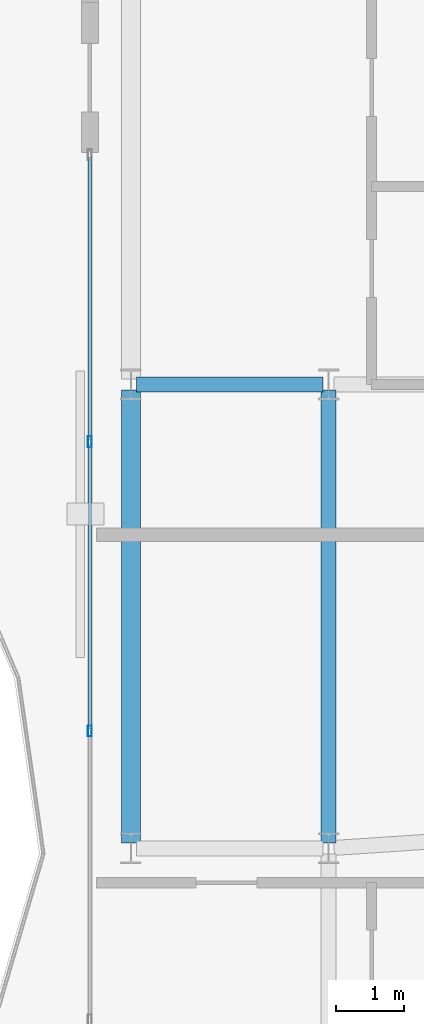
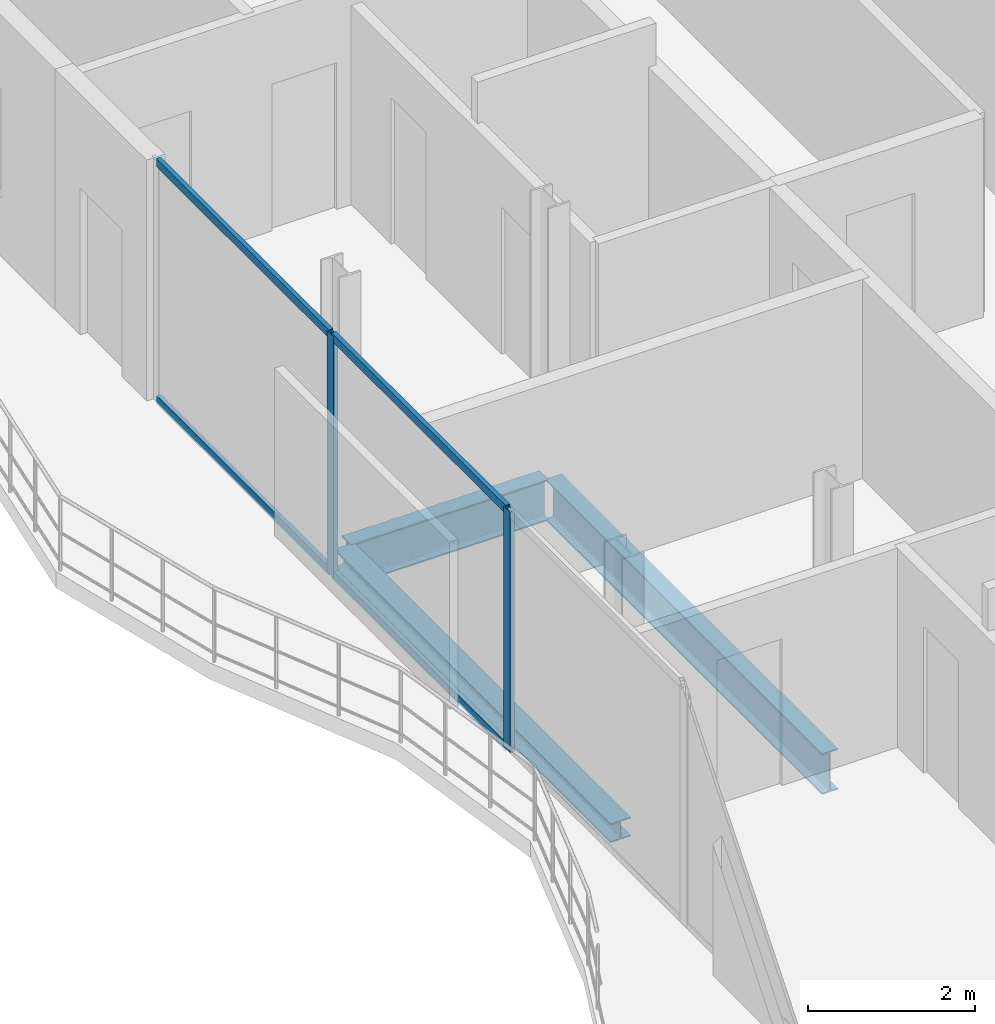
# One storey, part 10 of 22: 6 members, 3 beams, 1 element without a shape of its own.
"""IFC4 building model written with IfcOpenShell, lengths in metres."""

from ifc_helpers import new_model, si_unit, direction, frame, origin, origin_2d, place, context, subcontext, project, spatial, hollow_rectangle, i_section, extrude, material, layer, layer_set, material_profile, profile_set, type_object, element, aggregate, save


model = new_model("IFC4")

# Units and contexts
model_context = context("Model", 3, precision=1e-05, world=origin(), true_north=direction((0.0, 1.0)))
body_context = subcontext(model_context, "Body", "Model", "MODEL_VIEW")
ifc_project = project(units=[si_unit("LENGTHUNIT", "METRE"), si_unit("AREAUNIT", "SQUARE_METRE"), si_unit("VOLUMEUNIT", "CUBIC_METRE"), si_unit("PLANEANGLEUNIT", "RADIAN"), si_unit("MASSUNIT", "GRAM", prefix="KILO")], contexts=[model_context])

# Site, building, storey
site_placement = place(None, origin())
site = spatial("IfcSite", under=ifc_project, at=site_placement, CompositionType="ELEMENT")
building_placement = place(site_placement, origin())
building = spatial("IfcBuilding", under=site, at=building_placement, Name="Catumbela Crestline Tower", CompositionType="ELEMENT")
storey_placement = place(building_placement, frame((0.0, 0.0, 222.2)))
storey = spatial("IfcBuildingStorey", under=building, at=storey_placement, Name="L57", CompositionType="ELEMENT", Elevation=222.2)

# Beams
ifc_material_1 = material(Name="Structural steel S355J2", Category="steel")
ifc_material_profile_1 = material_profile(ifc_material_1, i_section(OverallWidth=0.22, OverallDepth=0.6, WebThickness=0.012, FlangeThickness=0.019, FilletRadius=0.024, at=origin_2d()), Name="IPE 600")
ifc_profile_set_1 = profile_set([ifc_material_profile_1], Name="Structural steel S355J2")
beam_type_1 = type_object("IfcBeamType", Name="BG-IPE600", PredefinedType="BEAM", material=ifc_profile_set_1)
beam_1_placement = place(storey_placement, frame((5.68, 30.8, -0.56), z_axis=(1.0, 0.0, 0.0), x_axis=(0.0, 1.0, 0.0)))
element("IfcBeam", 1, at=beam_1_placement, inside=storey, type_object=beam_type_1, Name="L57 Beam BM-L57-M06", PredefinedType="BEAM", context=body_context, shape_type="SweptSolid", body=[
    extrude(i_section(OverallWidth=0.22, OverallDepth=0.6, WebThickness=0.012, FlangeThickness=0.019, FilletRadius=0.024, at=origin_2d()), origin(), (0.0, 0.0, 1.0), 2.74),
])
beam_2_placement = place(storey_placement, frame((8.5, 24.08, -0.56), z_axis=(0.0, 1.0, 0.0), x_axis=(-1.0, 0.0, 0.0)))
element("IfcBeam", 2, at=beam_2_placement, inside=storey, type_object=beam_type_1, Name="L57 Beam BM-L57-SN14", PredefinedType="BEAM", context=body_context, shape_type="SweptSolid", body=[
    extrude(i_section(OverallWidth=0.22, OverallDepth=0.6, WebThickness=0.012, FlangeThickness=0.019, FilletRadius=0.024, at=origin_2d()), origin(), (0.0, 0.0, 1.0), 6.64),
])

# Curtain wall, members
ifc_material_2 = material(Name="Aluminium alloy AW-6060-T66", Category="aluminium")
ifc_layer = layer(ifc_material_2, 0.18, Name="Aluminium alloy AW-6060-T66")
ifc_layer_set = layer_set([ifc_layer], Name="Aluminium alloy AW-6060-T66")
curtain_wall_type = type_object("IfcCurtainWallType", Name="CWU-Z4", PredefinedType="USERDEFINED", material=ifc_layer_set)
curtain_wall_placement = place(storey_placement, origin())
curtain_wall = element("IfcCurtainWall", 3, at=curtain_wall_placement, inside=storey, type_object=curtain_wall_type, Name="L57 Unitised Curtain Wall CW-L57-E9S2", ObjectType="UNITISED", PredefinedType="USERDEFINED")
ifc_material_profile_2 = material_profile(ifc_material_2, hollow_rectangle(XDim=0.06, YDim=0.16, WallThickness=0.004, at=origin_2d()), Name="ALU 160x60x4")
ifc_profile_set_2 = profile_set([ifc_material_profile_2], Name="Aluminium alloy AW-6060-T66")
member_type_1 = type_object("IfcMemberType", Name="MUL-160X60", PredefinedType="MULLION", material=ifc_profile_set_2)
member_1_placement = place(storey_placement, frame((5.0, 29.96, 0.0), z_axis=(0.0, 0.0, 1.0), x_axis=(1.0, 0.0, 0.0)))
member_1 = element("IfcMember", 4, at=member_1_placement, type_object=member_type_1, Name="CWU-Z4 mullion 2", PredefinedType="MULLION", context=body_context, shape_type="SweptSolid", body=[
    extrude(hollow_rectangle(XDim=0.06, YDim=0.16, WallThickness=0.004, at=origin_2d()), origin(), (0.0, 0.0, 1.0), 3.53),
])
member_2_placement = place(storey_placement, frame((5.0, 25.72, 0.0), z_axis=(0.0, 0.0, 1.0), x_axis=(1.0, 0.0, 0.0)))
member_2 = element("IfcMember", 5, at=member_2_placement, type_object=member_type_1, Name="CWU-Z4 mullion 3", PredefinedType="MULLION", context=body_context, shape_type="SweptSolid", body=[
    extrude(hollow_rectangle(XDim=0.06, YDim=0.16, WallThickness=0.004, at=origin_2d()), origin(), (0.0, 0.0, 1.0), 3.53),
])

# Beam
ifc_material_profile_3 = material_profile(ifc_material_1, i_section(OverallWidth=0.28, OverallDepth=0.28, WebThickness=0.0105, FlangeThickness=0.018, FilletRadius=0.024, at=origin_2d()), Name="HEB 280")
ifc_profile_set_3 = profile_set([ifc_material_profile_3], Name="Structural steel S355J2")
beam_type_2 = type_object("IfcBeamType", Name="BS-HEB280", PredefinedType="SPANDREL", material=ifc_profile_set_3)
beam_3_placement = place(storey_placement, frame((5.6, 24.08, -0.4), z_axis=(0.0, 1.0, 0.0), x_axis=(-1.0, 0.0, 0.0)))
element("IfcBeam", 6, at=beam_3_placement, inside=storey, type_object=beam_type_2, Name="L57 Spandrel SP-L57-SN12", PredefinedType="SPANDREL", context=body_context, shape_type="SweptSolid", body=[
    extrude(i_section(OverallWidth=0.28, OverallDepth=0.28, WebThickness=0.0105, FlangeThickness=0.018, FilletRadius=0.024, at=origin_2d()), origin(), (0.0, 0.0, 1.0), 6.64),
])

# Member
ifc_material_profile_4 = material_profile(ifc_material_2, hollow_rectangle(XDim=0.06, YDim=0.12, WallThickness=0.0035, at=origin_2d()), Name="ALU 120x60x3.5")
ifc_profile_set_4 = profile_set([ifc_material_profile_4], Name="Aluminium alloy AW-6060-T66")
member_type_2 = type_object("IfcMemberType", Name="TRN-120X60", PredefinedType="USERDEFINED", material=ifc_profile_set_4)
member_3_placement = place(storey_placement, frame((5.0, 34.135, 0.03), z_axis=(0.0, -1.0, 0.0), x_axis=(1.0, 0.0, 0.0)))
member_3 = element("IfcMember", 7, at=member_3_placement, type_object=member_type_2, Name="CWU-Z4 transom 1.1", ObjectType="TRANSOM", PredefinedType="USERDEFINED", context=body_context, shape_type="SweptSolid", body=[
    extrude(hollow_rectangle(XDim=0.06, YDim=0.12, WallThickness=0.0035, at=origin_2d()), origin(), (0.0, 0.0, 1.0), 4.1425),
])

member_4_placement = place(storey_placement, frame((5.0, 34.135, 3.5), z_axis=(0.0, -1.0, 0.0), x_axis=(1.0, 0.0, 0.0)))
member_4 = element("IfcMember", 8, at=member_4_placement, type_object=member_type_2, Name="CWU-Z4 transom 1.2", ObjectType="TRANSOM", PredefinedType="USERDEFINED", context=body_context, shape_type="SweptSolid", body=[
    extrude(hollow_rectangle(XDim=0.06, YDim=0.12, WallThickness=0.0035, at=origin_2d()), origin(), (0.0, 0.0, 1.0), 4.1425),
])

member_5_placement = place(storey_placement, frame((5.0, 29.9275, 0.03), z_axis=(0.0, -1.0, 0.0), x_axis=(1.0, 0.0, 0.0)))
member_5 = element("IfcMember", 9, at=member_5_placement, type_object=member_type_2, Name="CWU-Z4 transom 2.1", ObjectType="TRANSOM", PredefinedType="USERDEFINED", context=body_context, shape_type="SweptSolid", body=[
    extrude(hollow_rectangle(XDim=0.06, YDim=0.12, WallThickness=0.0035, at=origin_2d()), origin(), (0.0, 0.0, 1.0), 4.175),
])

member_6_placement = place(storey_placement, frame((5.0, 29.9275, 3.5), z_axis=(0.0, -1.0, 0.0), x_axis=(1.0, 0.0, 0.0)))
member_6 = element("IfcMember", 10, at=member_6_placement, type_object=member_type_2, Name="CWU-Z4 transom 2.2", ObjectType="TRANSOM", PredefinedType="USERDEFINED", context=body_context, shape_type="SweptSolid", body=[
    extrude(hollow_rectangle(XDim=0.06, YDim=0.12, WallThickness=0.0035, at=origin_2d()), origin(), (0.0, 0.0, 1.0), 4.175),
])

aggregate(curtain_wall, [member_1, member_2, member_3, member_4, member_5, member_6])

save(model, "model.ifc")
